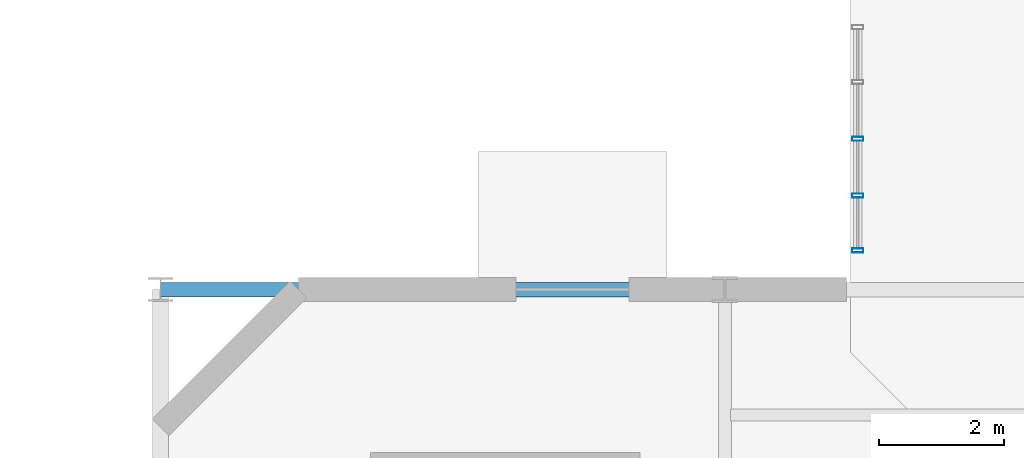
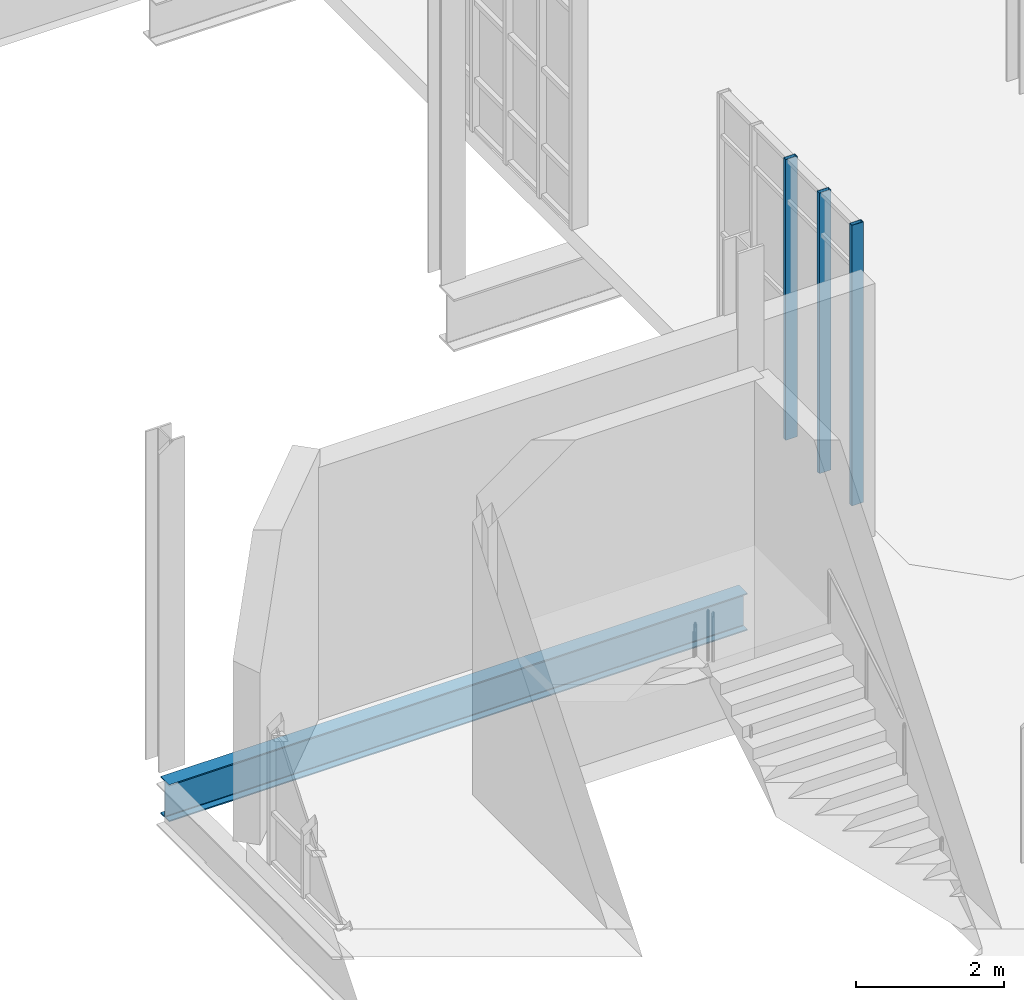
# One storey, part 28 of 189: 3 members, 1 beam, 1 element without a shape of its own.
"""IFC4 building model written with IfcOpenShell, lengths in metres."""

import ifcopenshell
import ifcopenshell.guid

model = None  # the IFC model being written
_history = None  # IfcOwnerHistory: only IFC2X3 demands one
_inside = {}  # id of a spatial element -> (the spatial element, [elements in it])
_under = {}  # id of a project, library or spatial element -> (it, [spatial elements below it])
_declared = {}  # id of a project -> (the project, [libraries it declares])
_typed = {}  # id of a type object -> (the type object, [elements of that type])
_made_of = {}  # id of a material, layer set ... -> (it, [elements and type objects made of it])


def new_model(schema):
    """Start an empty IFC model of exactly this schema.

    Asked for "IFC4X3", IfcOpenShell would pick the latest addendum, in which some entities
    have other attributes; the version numbers below select the first issue.
    IFC2X3 requires an IfcOwnerHistory on every rooted entity: one is made here for all.
    """
    global model, _history
    if schema == "IFC4X3":
        model = ifcopenshell.file(schema_version=(4, 3, 0, 0))
    else:
        model = ifcopenshell.file(schema=schema)
    _inside.clear()
    _under.clear()
    _declared.clear()
    _typed.clear()
    _made_of.clear()
    _history = None
    if model.schema == "IFC2X3":
        org = make("IfcOrganization", Name="unknown")
        user = make(
            "IfcPersonAndOrganization",
            ThePerson=make("IfcPerson", FamilyName="unknown"),
            TheOrganization=org,
        )
        app = make(
            "IfcApplication",
            ApplicationDeveloper=org,
            Version="unknown",
            ApplicationFullName="unknown",
            ApplicationIdentifier="unknown",
        )
        _history = make(
            "IfcOwnerHistory",
            OwningUser=user,
            OwningApplication=app,
            ChangeAction="ADDED",
            CreationDate=0,
        )
    return model


def make(cls, **values):
    """One entity of the class cls with the attributes given. An attribute that is None is left unset."""
    return model.create_entity(
        cls, **{name: value for name, value in values.items() if value is not None}
    )


def rooted(cls, **values):
    """An entity with a GlobalId (a new one), such as an element, a storey or a relation."""
    return make(cls, GlobalId=ifcopenshell.guid.new(), OwnerHistory=_history, **values)


def si_unit(unit_type, name, prefix=None):
    """IfcSIUnit, for example si_unit("LENGTHUNIT", "METRE", prefix="MILLI")."""
    return make("IfcSIUnit", UnitType=unit_type, Prefix=prefix, Name=name)


def assignment(units):
    """IfcUnitAssignment: the units of a project."""
    return None if units is None else make("IfcUnitAssignment", Units=units)


def point(xyz):
    """IfcCartesianPoint."""
    return None if xyz is None else make("IfcCartesianPoint", Coordinates=xyz)


def direction(xyz):
    """IfcDirection."""
    return None if xyz is None else make("IfcDirection", DirectionRatios=xyz)


def frame(location, z_axis=None, x_axis=None):
    """IfcAxis2Placement3D, a coordinate frame: its origin and axes. An axis left out is left unset."""
    return make(
        "IfcAxis2Placement3D",
        Location=point(location),
        Axis=direction(z_axis),
        RefDirection=direction(x_axis),
    )


def frame_2d(location, x_axis=None):
    """IfcAxis2Placement2D, a coordinate frame in the plane: its origin and x axis."""
    return make(
        "IfcAxis2Placement2D", Location=point(location), RefDirection=direction(x_axis)
    )


def origin():
    """The frame at (0, 0, 0) with its axes left unset."""
    return frame((0.0, 0.0, 0.0))


def origin_2d():
    """The frame at (0, 0) in the plane with its x axis left unset."""
    return frame_2d((0.0, 0.0))


def place(relative_to, where):
    """IfcLocalPlacement: puts the frame where relative to a parent placement (None: the world)."""
    return make(
        "IfcLocalPlacement", PlacementRelTo=relative_to, RelativePlacement=where
    )


def context(
    kind, dimensions, precision=None, world=None, true_north=None, identifier=None
):
    """IfcGeometricRepresentationContext, for example the 3D "Model" context."""
    return make(
        "IfcGeometricRepresentationContext",
        ContextIdentifier=identifier,
        ContextType=kind,
        CoordinateSpaceDimension=dimensions,
        Precision=precision,
        WorldCoordinateSystem=world,
        TrueNorth=true_north,
    )


def subcontext(parent, identifier, kind, view, scale=None):
    """IfcGeometricRepresentationSubContext, for example "Body" below "Model"."""
    return make(
        "IfcGeometricRepresentationSubContext",
        ContextIdentifier=identifier,
        ContextType=kind,
        ParentContext=parent,
        TargetScale=scale,
        TargetView=view,
    )


def project(units=None, contexts=None):
    """IfcProject with its units and contexts."""
    return rooted(
        "IfcProject",
        Name="project",
        RepresentationContexts=contexts,
        UnitsInContext=assignment(units),
    )


def spatial(cls, under=None, at=None, **own):
    """A site, building, storey or space (cls), placed at a placement, below another one or the project."""
    s = rooted(cls, ObjectPlacement=at, **own)
    if under is not None:
        _under.setdefault(under.id(), (under, []))[1].append(s)
    return s


def profile(cls, at=None, kind="AREA", **sizes):
    """A parametric profile (cls). Its sizes go by their IFC names, for example OverallWidth=200.0."""
    return make(cls, ProfileType=kind, Position=at, **sizes)


def hollow_rectangle(**sizes):
    """IfcRectangleHollowProfileDef."""
    return profile("IfcRectangleHollowProfileDef", **sizes)


def i_section(**sizes):
    """IfcIShapeProfileDef."""
    return profile("IfcIShapeProfileDef", **sizes)


def extrude(swept, where, along, depth):
    """IfcExtrudedAreaSolid: the profile swept, set in the frame where, extruded along a direction by depth."""
    return make(
        "IfcExtrudedAreaSolid",
        SweptArea=swept,
        Position=where,
        ExtrudedDirection=direction(along),
        Depth=depth,
    )


def shape(context_of_items, identifier, shape_type, items):
    """IfcShapeRepresentation: the items that make up one representation, for example the "Body"."""
    return make(
        "IfcShapeRepresentation",
        ContextOfItems=context_of_items,
        RepresentationIdentifier=identifier,
        RepresentationType=shape_type,
        Items=items,
    )


def material(Name=None, Category=None):
    """IfcMaterial."""
    return make("IfcMaterial", Name=Name, Category=Category)


def layer(
    of_material, thickness, ventilated=None, Name=None, Category=None, Priority=None
):
    """IfcMaterialLayer: one layer of a wall or slab, of a material (None: an air gap)."""
    return make(
        "IfcMaterialLayer",
        Material=of_material,
        LayerThickness=thickness,
        IsVentilated=ventilated,
        Name=Name,
        Category=Category,
        Priority=Priority,
    )


def layer_set(layers, Name=None):
    """IfcMaterialLayerSet."""
    return make("IfcMaterialLayerSet", MaterialLayers=layers, LayerSetName=Name)


def material_profile(
    of_material, cross_section, Name=None, Category=None, Priority=None
):
    """IfcMaterialProfile: a cross section and its material."""
    return make(
        "IfcMaterialProfile",
        Name=Name,
        Material=of_material,
        Profile=cross_section,
        Priority=Priority,
        Category=Category,
    )


def profile_set(profiles, Name=None, composite=None):
    """IfcMaterialProfileSet."""
    return make(
        "IfcMaterialProfileSet",
        Name=Name,
        MaterialProfiles=profiles,
        CompositeProfile=composite,
    )


def made_of(thing, what):
    """Note that an element or type object is made of a material, layer set ...; save() writes the relation."""
    if what is not None:
        _made_of.setdefault(what.id(), (what, []))[1].append(thing)
    return thing


def type_object(cls, material=None, **own):
    """A type object (cls), such as IfcWallType, which elements share."""
    return made_of(rooted(cls, **own), material)


def element(
    cls,
    number,
    at=None,
    inside=None,
    cuts=None,
    type_object=None,
    material=None,
    context=None,
    identifier="Body",
    shape_type=None,
    held_by="IfcProductDefinitionShape",
    body=None,
    shapes=None,
    **own,
):
    """One element of the class cls, such as IfcWall. Its Tag is "e" and its number.

    at: its placement. inside: the storey or other place that contains it. cuts: it is an
    opening in that element (IfcRelVoidsElement). A single representation is given by context,
    identifier, shape_type and body (its items); several are given by shapes. held_by: the class
    of the entity that holds the representations. save() writes the other relations.
    """
    e = rooted(cls, Tag="e%d" % number, ObjectPlacement=at, **own)
    if body is not None:
        shapes = [shape(context, identifier, shape_type, body)]
    if shapes is not None:
        e.Representation = make(held_by, Representations=shapes)
    if inside is not None:
        _inside.setdefault(inside.id(), (inside, []))[1].append(e)
    if cuts is not None:
        rooted(
            "IfcRelVoidsElement", RelatingBuildingElement=cuts, RelatedOpeningElement=e
        )
    if type_object is not None:
        _typed.setdefault(type_object.id(), (type_object, []))[1].append(e)
    return made_of(e, material)


def aggregate(whole, parts):
    """IfcRelAggregates: a whole, such as a stair, and the parts it consists of."""
    return rooted("IfcRelAggregates", RelatingObject=whole, RelatedObjects=parts)


def save(model, path):
    """Write the relations noted so far, then the file.

    IfcRelAggregates (storeys below a building ...), IfcRelContainedInSpatialStructure (elements
    in a storey), IfcRelDefinesByType, IfcRelAssociatesMaterial and IfcRelDeclares: one each for
    every whole, place, type object, material and project.
    """
    for whole, parts in _under.values():
        aggregate(whole, parts)
    for where, things in _inside.values():
        rooted(
            "IfcRelContainedInSpatialStructure",
            RelatedElements=things,
            RelatingStructure=where,
        )
    for kind, things in _typed.values():
        rooted("IfcRelDefinesByType", RelatedObjects=things, RelatingType=kind)
    for what, things in _made_of.values():
        rooted("IfcRelAssociatesMaterial", RelatedObjects=things, RelatingMaterial=what)
    for by, libraries in _declared.values():
        rooted("IfcRelDeclares", RelatingContext=by, RelatedDefinitions=libraries)
    model.write(path)


model = new_model("IFC4")

# Units and contexts
model_context = context("Model", 3, precision=1e-05, world=origin(), true_north=direction((0.0, 1.0)))
body_context = subcontext(model_context, "Body", "Model", "MODEL_VIEW")
ifc_project = project(units=[si_unit("LENGTHUNIT", "METRE"), si_unit("AREAUNIT", "SQUARE_METRE"), si_unit("VOLUMEUNIT", "CUBIC_METRE"), si_unit("PLANEANGLEUNIT", "RADIAN"), si_unit("MASSUNIT", "GRAM", prefix="KILO"), si_unit("THERMODYNAMICTEMPERATUREUNIT", "KELVIN"), si_unit("POWERUNIT", "WATT")], contexts=[model_context])

# Site, building, storey
site_placement = place(None, origin())
site = spatial("IfcSite", under=ifc_project, at=site_placement, CompositionType="ELEMENT")
building_placement = place(site_placement, origin())
building = spatial("IfcBuilding", under=site, at=building_placement, Name="Zelmaris Science Centre", CompositionType="ELEMENT")
storey_placement = place(building_placement, origin())
storey = spatial("IfcBuildingStorey", under=building, at=storey_placement, Name="L00", CompositionType="ELEMENT", Elevation=0.0)

# Curtain wall, members
ifc_material_1 = material(Name="Anodised architectural aluminium 6063-T6", Category="aluminium")
ifc_layer = layer(ifc_material_1, 0.2099609375, Name="Anodised architectural aluminium 6063-T6")
ifc_layer_set = layer_set([ifc_layer], Name="Anodised architectural aluminium 6063-T6")
curtain_wall_type = type_object("IfcCurtainWallType", Name="Curtain Wall CW-03", PredefinedType="USERDEFINED", material=ifc_layer_set)
curtain_wall_placement = place(storey_placement, origin())
curtain_wall = element("IfcCurtainWall", 1, at=curtain_wall_placement, inside=storey, type_object=curtain_wall_type, Name="L00 Unitised curtain wall 7", ObjectType="GLAZED CURTAIN WALL", PredefinedType="USERDEFINED")
ifc_material_profile_1 = material_profile(ifc_material_1, hollow_rectangle(XDim=0.06494140625, YDim=0.179931640625, WallThickness=0.00390625, at=origin_2d()), Name="ALU-MUL-65X180")
ifc_profile_set_1 = profile_set([ifc_material_profile_1], Name="Anodised architectural aluminium 6063-T6")
member_type = type_object("IfcMemberType", Name="ALU-MUL-65X180", PredefinedType="MULLION", material=ifc_profile_set_1)
member_1_placement = place(storey_placement, frame((20.119384765625, 40.622802734375, -0.014892578125), z_axis=(0.0, 0.0, 1.0), x_axis=(-0.000427605654, 0.999999908577, 0.0)))
member_1 = element("IfcMember", 2, at=member_1_placement, type_object=member_type, Name="CW-03 mullion 1", PredefinedType="MULLION", context=body_context, shape_type="SweptSolid", body=[
    extrude(hollow_rectangle(XDim=0.06494140625, YDim=0.179931640625, WallThickness=0.00390625, at=origin_2d()), origin(), (0.0, 0.0, 1.0), 4.614990234375),
])
member_2_placement = place(storey_placement, frame((20.119140625, 41.498779296875, -0.014892578125), z_axis=(0.0, 0.0, 1.0), x_axis=(-0.000427605654, 0.999999908577, 0.0)))
member_2 = element("IfcMember", 3, at=member_2_placement, type_object=member_type, Name="CW-03 mullion 2", PredefinedType="MULLION", context=body_context, shape_type="SweptSolid", body=[
    extrude(hollow_rectangle(XDim=0.06494140625, YDim=0.179931640625, WallThickness=0.00390625, at=origin_2d()), origin(), (0.0, 0.0, 1.0), 4.614990234375),
])
member_3_placement = place(storey_placement, frame((20.11865234375, 42.403564453125, -0.014892578125), z_axis=(0.0, 0.0, 1.0), x_axis=(-0.000427605654, 0.999999908577, 0.0)))
member_3 = element("IfcMember", 4, at=member_3_placement, type_object=member_type, Name="CW-03 mullion 3", PredefinedType="MULLION", context=body_context, shape_type="SweptSolid", body=[
    extrude(hollow_rectangle(XDim=0.06494140625, YDim=0.179931640625, WallThickness=0.00390625, at=origin_2d()), origin(), (0.0, 0.0, 1.0), 4.614990234375),
])
aggregate(curtain_wall, [member_1, member_2, member_3])

# Beam
ifc_material_2 = material(Name="Steel ASTM A992 Grade 50", Category="steel")
ifc_material_profile_2 = material_profile(ifc_material_2, i_section(OverallWidth=0.22900390625, OverallDepth=0.612060546875, WebThickness=0.011962890625, FlangeThickness=0.01953125, FilletRadius=0.014892578125, at=origin_2d()), Name="W24X84")
ifc_profile_set_2 = profile_set([ifc_material_profile_2], Name="Steel ASTM A992 Grade 50")
beam_type = type_object("IfcBeamType", Name="Beam G-16 W24X84", PredefinedType="BEAM", material=ifc_profile_set_2)
beam_placement = place(storey_placement, frame((9.0, 40.0, -0.615966796875), z_axis=(1.0, 0.0, 0.0), x_axis=(0.0, 1.0, 0.0)))
element("IfcBeam", 5, at=beam_placement, inside=storey, type_object=beam_type, Name="L00 East-west girder 133", PredefinedType="BEAM", context=body_context, shape_type="SweptSolid", body=[
    extrude(i_section(OverallWidth=0.22900390625, OverallDepth=0.612060546875, WebThickness=0.011962890625, FlangeThickness=0.01953125, FilletRadius=0.014892578125, at=origin_2d()), origin(), (0.0, 0.0, 1.0), 9.0),
])

save(model, "model.ifc")
